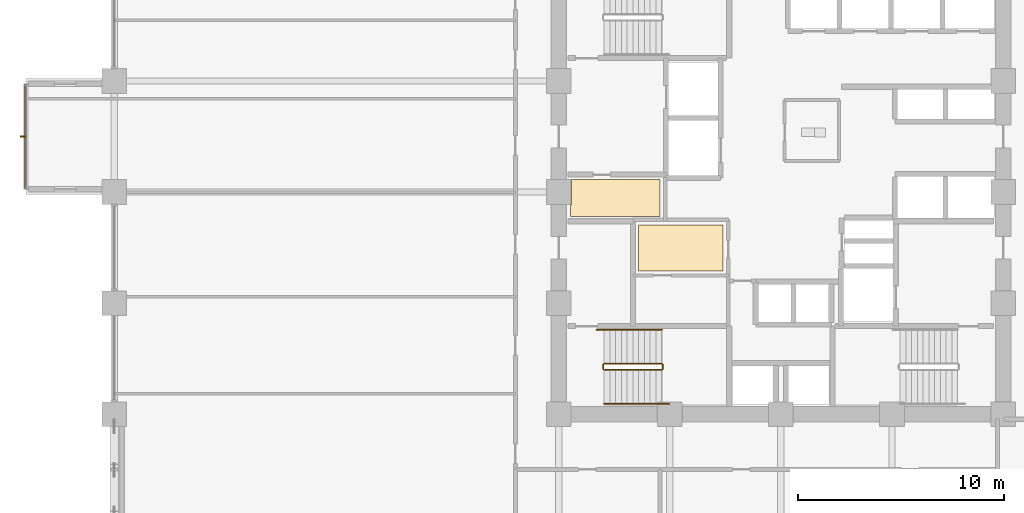
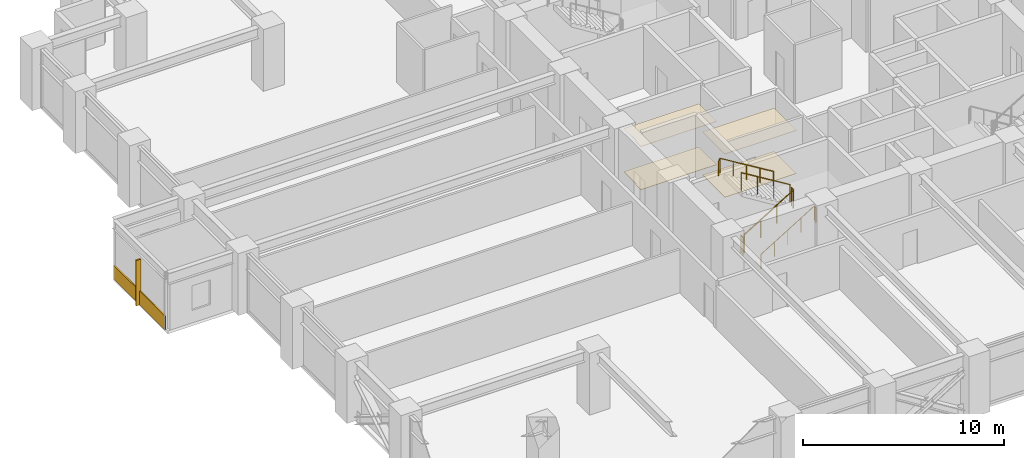
# One storey, part 25 of 28: 6 railings, 5 coverings, 1 shading device.
"""IFC4 building model written with IfcOpenShell, lengths in metres."""

from ifc_helpers import new_model, si_unit, direction, frame, origin, origin_2d, place, context, subcontext, project, spatial, polyline, rectangle, circle, outline, extrude, material, layer, layer_set, type_object, element, save


model = new_model("IFC4")

# Units and contexts
model_context = context("Model", 3, precision=1e-05, world=origin(), true_north=direction((0.0, 1.0)))
body_context = subcontext(model_context, "Body", "Model", "MODEL_VIEW")
ifc_project = project(units=[si_unit("LENGTHUNIT", "METRE"), si_unit("AREAUNIT", "SQUARE_METRE"), si_unit("VOLUMEUNIT", "CUBIC_METRE"), si_unit("PLANEANGLEUNIT", "RADIAN"), si_unit("MASSUNIT", "GRAM", prefix="KILO")], contexts=[model_context])

# Site, building, storey
site_placement = place(None, origin())
site = spatial("IfcSite", under=ifc_project, at=site_placement, CompositionType="ELEMENT")
building_placement = place(site_placement, origin())
building = spatial("IfcBuilding", under=site, at=building_placement, Name="Surkhivell Harbour Commons", CompositionType="ELEMENT")
storey_placement = place(building_placement, frame((0.0, 0.0, 67.5)))
storey = spatial("IfcBuildingStorey", under=building, at=storey_placement, Name="L17", CompositionType="ELEMENT", Elevation=67.5)

# Coverings
ifc_material_1 = material(Name="Perforated acoustic mineral-fibre ceiling tile", Category="other")
ifc_layer_1 = layer(ifc_material_1, 0.02490234375)
ifc_layer_set_1 = layer_set([ifc_layer_1], Name="Perforated acoustic mineral-fibre ceiling tile")
covering_type_1 = type_object("IfcCoveringType", Name="COV-CEIL-AC", PredefinedType="CEILING", material=ifc_layer_set_1)
covering_1_placement = place(storey_placement, frame((0.0, 0.0, 2.617919921875)))
element("IfcCovering", 1, at=covering_1_placement, inside=storey, type_object=covering_type_1, Name="L17 Suspended Acoustic Ceiling 1", PredefinedType="CEILING", context=body_context, shape_type="SweptSolid", body=[
    extrude(outline(polyline([(-10.219970703125, -1.179931640625), (-5.8701171875, -1.179931640625), (-5.8701171875, 0.60009765625), (-10.169921875, 0.60009765625), (-10.169921875, -0.6298828125), (-10.219970703125, -0.6298828125), (-10.219970703125, -1.179931640625)])), origin(), (0.0, 0.0, 1.0), 0.025146484375),
])
ifc_material_2 = material(Name="Moisture-resistant gypsum acoustic ceiling board", Category="other")
ifc_layer_2 = layer(ifc_material_2, 0.030029296875)
ifc_layer_set_2 = layer_set([ifc_layer_2], Name="Moisture-resistant gypsum acoustic ceiling board")
covering_type_2 = type_object("IfcCoveringType", Name="COV-CEIL-GYP", PredefinedType="CEILING", material=ifc_layer_set_2)
covering_2_placement = place(storey_placement, frame((0.0, 0.0, 2.613037109375)))
element("IfcCovering", 2, at=covering_2_placement, inside=storey, type_object=covering_type_2, Name="L17 Suspended Acoustic Ceiling 2", PredefinedType="CEILING", context=body_context, shape_type="SweptSolid", body=[
    extrude(outline(polyline([(-6.929931640625, -3.830078125), (-2.820068359375, -3.830078125), (-2.820068359375, -1.60009765625), (-6.929931640625, -1.60009765625), (-6.929931640625, -3.830078125)])), origin(), (0.0, 0.0, 1.0), 0.030029296875),
])
ifc_material_3 = material(Name="Cobalt-azure enamelled aluminium cassette panel", Category="aluminium")
ifc_layer_3 = layer(ifc_material_3, 0.072021484375)
ifc_layer_set_3 = layer_set([ifc_layer_3], Name="Cobalt-azure enamelled aluminium cassette panel")
covering_type_3 = type_object("IfcCoveringType", Name="COV-CLAD-COB", PredefinedType="CLADDING", material=ifc_layer_set_3)
covering_3_placement = place(storey_placement, frame((-36.739990234375, 2.699951171875, 0.0), z_axis=(0.0, 0.0, 1.0), x_axis=(1.0, 0.0, 0.0)))
element("IfcCovering", 3, at=covering_3_placement, inside=storey, type_object=covering_type_3, Name="L17 Coloured-Panel Box Spandrel Cassette 02", PredefinedType="CLADDING", context=body_context, shape_type="SweptSolid", body=[
    extrude(rectangle(XDim=0.080078125, YDim=5.10009765625, at=origin_2d()), origin(), (0.0, 0.0, 1.0), 0.840087890625),
])
ifc_material_4 = material(Name="Engineered acoustic oak timber flooring", Category="wood")
ifc_layer_4 = layer(ifc_material_4, 0.02001953125)
ifc_layer_set_4 = layer_set([ifc_layer_4], Name="Engineered acoustic oak timber flooring")
covering_type_4 = type_object("IfcCoveringType", Name="COV-FLR-TIM", PredefinedType="FLOORING", material=ifc_layer_set_4)
covering_4_placement = place(storey_placement, origin())
element("IfcCovering", 4, at=covering_4_placement, inside=storey, type_object=covering_type_4, Name="L17 Interior Floor Finish 1", PredefinedType="FLOORING", context=body_context, shape_type="SweptSolid", body=[
    extrude(outline(polyline([(-10.219970703125, -1.179931640625), (-5.8701171875, -1.179931640625), (-5.8701171875, 0.60009765625), (-10.169921875, 0.60009765625), (-10.169921875, -0.6298828125), (-10.219970703125, -0.6298828125), (-10.219970703125, -1.179931640625)])), origin(), (0.0, 0.0, 1.0), 0.02001953125),
])
covering_5_placement = place(storey_placement, origin())
element("IfcCovering", 5, at=covering_5_placement, inside=storey, type_object=covering_type_4, Name="L17 Interior Floor Finish 2", PredefinedType="FLOORING", context=body_context, shape_type="SweptSolid", body=[
    extrude(outline(polyline([(-6.929931640625, -3.830078125), (-2.820068359375, -3.830078125), (-2.820068359375, -1.60009765625), (-6.929931640625, -1.60009765625), (-6.929931640625, -3.830078125)])), origin(), (0.0, 0.0, 1.0), 0.02001953125),
])

# Railings
ifc_material_5 = material(Name="Galvanised and painted steel S355 guard rail", Category="steel")
railing_type_1 = type_object("IfcRailingType", Name="RAL-ST-GRD1100", PredefinedType="GUARDRAIL", material=ifc_material_5)
railing_1_placement = place(storey_placement, frame((-8.590087890625, -8.639892578125, 0.17041015625)))
element("IfcRailing", 6, at=railing_1_placement, inside=storey, type_object=railing_type_1, Name="L17 ST3 stair guard 1", PredefinedType="GUARDRAIL", context=body_context, shape_type="SweptSolid", body=[
    extrude(circle(Radius=0.02392578125, at=origin_2d()), frame((0.0, 0.0, 1.076171875), z_axis=(0.854169791009, 0.0, 0.51999420009), x_axis=(0.0, 1.0, 0.0)), (0.0, 0.0, 1.0), 3.278076171875),
    extrude(circle(Radius=0.02099609375, at=origin_2d()), origin(), (0.0, 0.0, 1.0), 1.052001953125),
    extrude(circle(Radius=0.02099609375, at=origin_2d()), frame((0.933349609375, 0.0, 0.568115234375)), (0.0, 0.0, 1.0), 1.052001953125),
    extrude(circle(Radius=0.02099609375, at=origin_2d()), frame((1.86669921875, 0.0, 1.136474609375)), (0.0, 0.0, 1.0), 1.052001953125),
    extrude(circle(Radius=0.02099609375, at=origin_2d()), frame((2.800048828125, 0.0, 1.70458984375)), (0.0, 0.0, 1.0), 1.052001953125),
])
railing_2_placement = place(storey_placement, frame((-5.739990234375, -8.590087890625, 1.875)))
element("IfcRailing", 7, at=railing_2_placement, inside=storey, type_object=railing_type_1, Name="L17 ST3 stair guard 2", PredefinedType="GUARDRAIL", context=body_context, shape_type="SweptSolid", body=[
    extrude(circle(Radius=0.02392578125, at=origin_2d()), frame((0.0, 0.0, 1.076171875), z_axis=(0.0, 1.0, 0.0), x_axis=(-1.0, 0.0, 0.0)), (0.0, 0.0, 1.0), 0.2001953125),
    extrude(circle(Radius=0.02099609375, at=origin_2d()), origin(), (0.0, 0.0, 1.0), 1.052001953125),
    extrude(circle(Radius=0.02099609375, at=origin_2d()), frame((0.0, 0.2001953125, 0.0)), (0.0, 0.0, 1.0), 1.052001953125),
])
railing_3_placement = place(storey_placement, frame((-5.7900390625, -8.340087890625, 2.04541015625)))
element("IfcRailing", 8, at=railing_3_placement, inside=storey, type_object=railing_type_1, Name="L17 ST3 stair guard 3", PredefinedType="GUARDRAIL", context=body_context, shape_type="SweptSolid", body=[
    extrude(circle(Radius=0.02392578125, at=origin_2d()), frame((0.0, 0.0, 1.076171875), z_axis=(-0.854169791009, 0.0, 0.51999420009), x_axis=(0.0, -1.0, 0.0)), (0.0, 0.0, 1.0), 3.278076171875),
    extrude(circle(Radius=0.02099609375, at=origin_2d()), origin(), (0.0, 0.0, 1.0), 1.052001953125),
    extrude(circle(Radius=0.02099609375, at=origin_2d()), frame((-0.933349609375, 0.0, 0.568115234375)), (0.0, 0.0, 1.0), 1.052001953125),
    extrude(circle(Radius=0.02099609375, at=origin_2d()), frame((-1.86669921875, 0.0, 1.136474609375)), (0.0, 0.0, 1.0), 1.052001953125),
    extrude(circle(Radius=0.02099609375, at=origin_2d()), frame((-2.800048828125, 0.0, 1.70458984375)), (0.0, 0.0, 1.0), 1.052001953125),
])
railing_4_placement = place(storey_placement, frame((-8.639892578125, -8.590087890625, 0.0)))
element("IfcRailing", 9, at=railing_4_placement, inside=storey, type_object=railing_type_1, Name="L17 ST3 stair guard 4", PredefinedType="GUARDRAIL", context=body_context, shape_type="SweptSolid", body=[
    extrude(circle(Radius=0.02392578125, at=origin_2d()), frame((0.0, 0.0, 1.076171875), z_axis=(0.0, 1.0, 0.0), x_axis=(-1.0, 0.0, 0.0)), (0.0, 0.0, 1.0), 0.2001953125),
    extrude(circle(Radius=0.02099609375, at=origin_2d()), origin(), (0.0, 0.0, 1.0), 1.052001953125),
    extrude(circle(Radius=0.02099609375, at=origin_2d()), frame((0.0, 0.2001953125, 0.0)), (0.0, 0.0, 1.0), 1.052001953125),
])
ifc_material_6 = material(Name="Brushed stainless steel S355 handrail", Category="steel")
railing_type_2 = type_object("IfcRailingType", Name="RAL-ST-HND900", PredefinedType="HANDRAIL", material=ifc_material_6)
railing_5_placement = place(storey_placement, frame((-8.590087890625, -10.2900390625, 0.17041015625)))
element("IfcRailing", 10, at=railing_5_placement, inside=storey, type_object=railing_type_2, Name="L17 ST3 stair handrail 1", PredefinedType="HANDRAIL", context=body_context, shape_type="SweptSolid", body=[
    extrude(circle(Radius=0.02392578125, at=origin_2d()), frame((0.0, 0.0, 0.8759765625), z_axis=(0.854177636135, 0.0, 0.519981313056), x_axis=(0.0, 1.0, 0.0)), (0.0, 0.0, 1.0), 3.60595703125),
    extrude(circle(Radius=0.02392578125, at=origin_2d()), frame((3.080078125, 0.0, 2.7509765625), z_axis=(0.425297416671, 0.0, -0.905053648892), x_axis=(0.0, 1.0, 0.0)), (0.0, 0.0, 1.0), 0.188232421875),
    extrude(circle(Radius=0.02099609375, at=origin_2d()), origin(), (0.0, 0.0, 1.0), 0.851806640625),
    extrude(circle(Radius=0.02099609375, at=origin_2d()), frame((0.77001953125, 0.0, 0.46875)), (0.0, 0.0, 1.0), 0.851806640625),
    extrude(circle(Radius=0.02099609375, at=origin_2d()), frame((1.5400390625, 0.0, 0.9375)), (0.0, 0.0, 1.0), 0.851806640625),
    extrude(circle(Radius=0.02099609375, at=origin_2d()), frame((2.31005859375, 0.0, 1.40625)), (0.0, 0.0, 1.0), 0.851806640625),
    extrude(circle(Radius=0.02099609375, at=origin_2d()), frame((3.080078125, 0.0, 1.875)), (0.0, 0.0, 1.0), 0.851806640625),
    extrude(circle(Radius=0.02099609375, at=origin_2d()), frame((3.16015625, 0.0, 1.70458984375)), (0.0, 0.0, 1.0), 0.851806640625),
])
railing_6_placement = place(storey_placement, frame((-5.7900390625, -6.68994140625, 2.04541015625)))
element("IfcRailing", 11, at=railing_6_placement, inside=storey, type_object=railing_type_2, Name="L17 ST3 stair handrail 2", PredefinedType="HANDRAIL", context=body_context, shape_type="SweptSolid", body=[
    extrude(circle(Radius=0.02392578125, at=origin_2d()), frame((0.0, 0.0, 0.8759765625), z_axis=(-0.854177636135, 0.0, 0.519981313056), x_axis=(0.0, -1.0, 0.0)), (0.0, 0.0, 1.0), 3.60595703125),
    extrude(circle(Radius=0.02392578125, at=origin_2d()), frame((-3.080078125, 0.0, 2.7509765625), z_axis=(-0.424234432967, 0.0, -0.905552398199), x_axis=(0.0, -1.0, 0.0)), (0.0, 0.0, 1.0), 0.188232421875),
    extrude(circle(Radius=0.02099609375, at=origin_2d()), origin(), (0.0, 0.0, 1.0), 0.851806640625),
    extrude(circle(Radius=0.02099609375, at=origin_2d()), frame((-0.77001953125, 0.0, 0.46875)), (0.0, 0.0, 1.0), 0.851806640625),
    extrude(circle(Radius=0.02099609375, at=origin_2d()), frame((-1.5400390625, 0.0, 0.9375)), (0.0, 0.0, 1.0), 0.851806640625),
    extrude(circle(Radius=0.02099609375, at=origin_2d()), frame((-2.31005859375, 0.0, 1.40625)), (0.0, 0.0, 1.0), 0.851806640625),
    extrude(circle(Radius=0.02099609375, at=origin_2d()), frame((-3.080078125, 0.0, 1.875)), (0.0, 0.0, 1.0), 0.851806640625),
    extrude(circle(Radius=0.02099609375, at=origin_2d()), frame((-3.159912109375, 0.0, 1.70458984375)), (0.0, 0.0, 1.0), 0.851806640625),
])

# Shading device
ifc_material_7 = material(Name="Champagne anodised aluminium solar fin", Category="aluminium")
shading_device_type = type_object("IfcShadingDeviceType", Name="SHD-FIN-SLIM", PredefinedType="USERDEFINED", material=ifc_material_7)
shading_device_placement = place(storey_placement, frame((-36.840087890625, 2.699951171875, 0.0048828125), z_axis=(0.0, 0.0, 1.0), x_axis=(1.0, 0.0, 0.0)))
element("IfcShadingDevice", 12, at=shading_device_placement, inside=storey, type_object=shading_device_type, Name="L17 Coloured-Box Solar Fin 02", ObjectType="FIN", PredefinedType="USERDEFINED", context=body_context, shape_type="SweptSolid", body=[
    extrude(rectangle(XDim=0.280029296875, YDim=0.080078125, at=origin_2d()), origin(), (0.0, 0.0, 1.0), 2.75),
])

save(model, "model.ifc")
